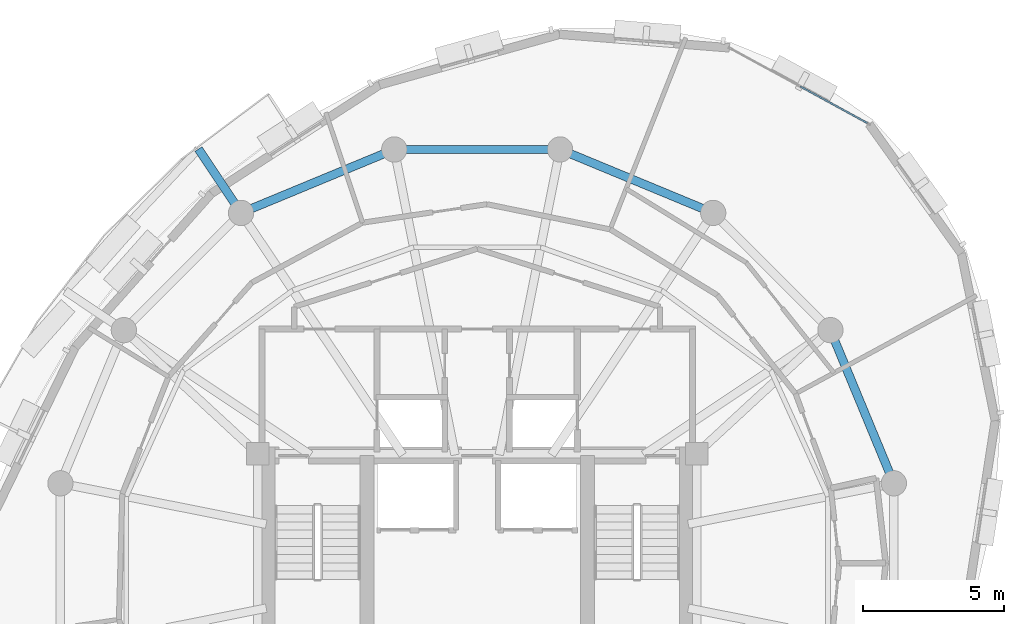
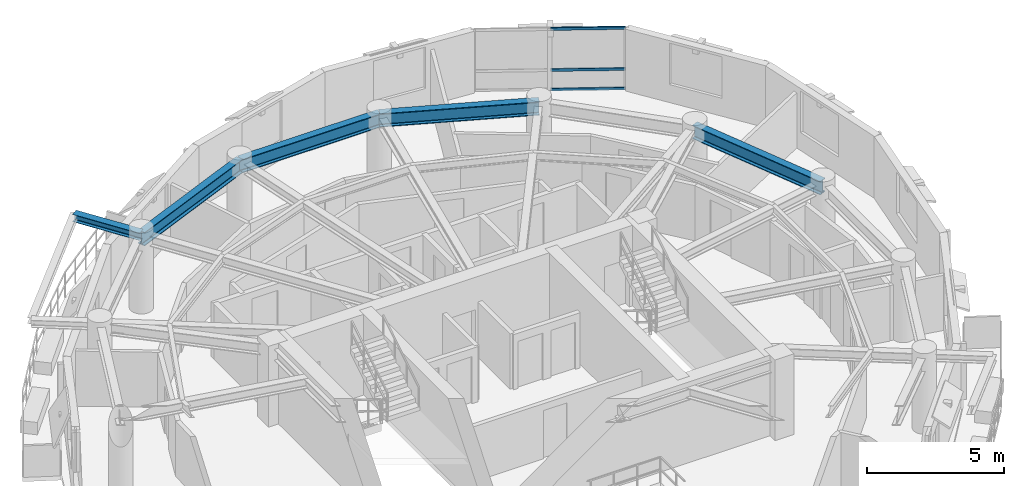
# One storey, part 4 of 11: 5 beams, 3 members, 1 element without a shape of its own.
"""IFC4 building model written with IfcOpenShell, lengths in metres."""

from ifc_helpers import new_model, si_unit, direction, frame, origin, origin_2d, place, context, subcontext, project, spatial, hollow_rectangle, i_section, extrude, material, layer, layer_set, material_profile, profile_set, type_object, element, aggregate, save


model = new_model("IFC4")

# Units and contexts
model_context = context("Model", 3, precision=1e-05, world=origin(), true_north=direction((0.0, 1.0)))
body_context = subcontext(model_context, "Body", "Model", "MODEL_VIEW")
ifc_project = project(units=[si_unit("LENGTHUNIT", "METRE"), si_unit("AREAUNIT", "SQUARE_METRE"), si_unit("VOLUMEUNIT", "CUBIC_METRE"), si_unit("PLANEANGLEUNIT", "RADIAN"), si_unit("MASSUNIT", "GRAM", prefix="KILO"), si_unit("THERMODYNAMICTEMPERATUREUNIT", "KELVIN"), si_unit("POWERUNIT", "WATT")], contexts=[model_context])

# Site, building, storey
site_placement = place(None, origin())
site = spatial("IfcSite", under=ifc_project, at=site_placement, CompositionType="ELEMENT")
building_placement = place(site_placement, origin())
building = spatial("IfcBuilding", under=site, at=building_placement, Name="Ocrelia Relay Tower", CompositionType="ELEMENT")
storey_placement = place(building_placement, frame((0.0, 0.0, 234.0)))
storey = spatial("IfcBuildingStorey", under=building, at=storey_placement, Name="L57", CompositionType="ELEMENT", Elevation=234.0)

# Beams
ifc_material_1 = material(Name="Steel S355", Category="steel")
ifc_material_profile_1 = material_profile(ifc_material_1, i_section(OverallWidth=0.300048828125, OverallDepth=0.330078125, WebThickness=0.009521484375, FlangeThickness=0.0166015625, FilletRadius=0.027099609375, at=origin_2d()), Name="HEA 340")
ifc_profile_set_1 = profile_set([ifc_material_profile_1], Name="Steel S355")
beam_type_1 = type_object("IfcBeamType", Name="BM-HEA340", PredefinedType="BEAM", material=ifc_profile_set_1)
beam_1_placement = place(storey_placement, frame((25.61083984375, 38.55517578125, 3.215087890625), z_axis=(-0.555567000699, 0.831471772061, 0.0), x_axis=(-0.831471772061, -0.555567000699, 0.0)))
element("IfcBeam", 1, at=beam_1_placement, inside=storey, type_object=beam_type_1, Name="L58 Balcony Cantilever Beam B1-1", PredefinedType="BEAM", context=body_context, shape_type="SweptSolid", body=[
    extrude(i_section(OverallWidth=0.300048828125, OverallDepth=0.330078125, WebThickness=0.009521484375, FlangeThickness=0.0166015625, FilletRadius=0.027099609375, at=origin_2d()), origin(), (0.0, 0.0, 1.0), 2.72900390625),
])
ifc_material_profile_2 = material_profile(ifc_material_1, i_section(OverallWidth=0.300048828125, OverallDepth=0.60009765625, WebThickness=0.015380859375, FlangeThickness=0.030029296875, FilletRadius=0.027099609375, at=origin_2d()), Name="HEB 600")
ifc_profile_set_2 = profile_set([ifc_material_profile_2], Name="Steel S355")
beam_type_2 = type_object("IfcBeamType", Name="BM-HEB600", PredefinedType="BEAM", material=ifc_profile_set_2)
for number, where, z_axis, x_axis, name in (
    (2, (48.809814453125, 28.94580078125, 3.080078125), (-0.382672624084, 0.923884009374, 0.0), (-0.923884009374, -0.382672624084, 0.0), "L57 Perimeter Spandrel Beam S01"),
    (3, (42.38916015625, 38.55517578125, 3.080078125), (-0.923884009374, 0.382672624084, 0.0), (-0.382672624084, -0.923884009374, 0.0), "L57 Perimeter Spandrel Beam S03"),
):
    element("IfcBeam", number, at=place(storey_placement, frame(where, z_axis=z_axis, x_axis=x_axis)), inside=storey, type_object=beam_type_2, Name=name, PredefinedType="BEAM", context=body_context, shape_type="SweptSolid", body=[
        extrude(i_section(OverallWidth=0.300048828125, OverallDepth=0.60009765625, WebThickness=0.015380859375, FlangeThickness=0.030029296875, FilletRadius=0.027099609375, at=origin_2d()), origin(), (0.0, 0.0, 1.0), 5.891845703125),
    ])
beam_2_placement = place(storey_placement, frame((36.94580078125, 40.809814453125, 3.080078125), z_axis=(-1.0, 0.0, 0.0), x_axis=(0.0, -1.0, 0.0)))
element("IfcBeam", 4, at=beam_2_placement, inside=storey, type_object=beam_type_2, Name="L57 Perimeter Spandrel Beam S04", PredefinedType="BEAM", context=body_context, shape_type="SweptSolid", body=[
    extrude(i_section(OverallWidth=0.300048828125, OverallDepth=0.60009765625, WebThickness=0.015380859375, FlangeThickness=0.030029296875, FilletRadius=0.027099609375, at=origin_2d()), origin(), (0.0, 0.0, 1.0), 5.8916015625),
])
beam_3_placement = place(storey_placement, frame((31.05419921875, 40.809814453125, 3.080078125), z_axis=(-0.923884009374, -0.382672624084, 0.0), x_axis=(0.382672624084, -0.923884009374, 0.0)))
element("IfcBeam", 5, at=beam_3_placement, inside=storey, type_object=beam_type_2, Name="L57 Perimeter Spandrel Beam S05", PredefinedType="BEAM", context=body_context, shape_type="SweptSolid", body=[
    extrude(i_section(OverallWidth=0.300048828125, OverallDepth=0.60009765625, WebThickness=0.015380859375, FlangeThickness=0.030029296875, FilletRadius=0.027099609375, at=origin_2d()), origin(), (0.0, 0.0, 1.0), 5.891845703125),
])

# Curtain wall, members
ifc_material_2 = material(Name="Aluminium and solar-control low-E glass", Category="aluminium")
ifc_layer = layer(ifc_material_2, 0.179931640625, Name="Aluminium and solar-control low-E glass")
ifc_layer_set = layer_set([ifc_layer], Name="Aluminium and solar-control low-E glass")
curtain_wall_type = type_object("IfcCurtainWallType", Name="CW-SYS-Z4-EXEC", PredefinedType="NOTDEFINED", material=ifc_layer_set)
curtain_wall_placement = place(storey_placement, origin())
curtain_wall = element("IfcCurtainWall", 6, at=curtain_wall_placement, inside=storey, type_object=curtain_wall_type, Name="L57 Elliptical Tower Curtain Wall Bay 01", PredefinedType="NOTDEFINED")
ifc_material_3 = material(Name="Anodised bronze aluminium", Category="aluminium")
ifc_material_profile_3 = material_profile(ifc_material_3, hollow_rectangle(XDim=0.06005859375, YDim=0.1201171875, WallThickness=0.0048828125, at=origin_2d()), Name="CW-TRN-120x60")
ifc_profile_set_3 = profile_set([ifc_material_profile_3], Name="Anodised bronze aluminium")
member_type = type_object("IfcMemberType", Name="CW-SYS-Z4-EXEC-TRN", PredefinedType="USERDEFINED", material=ifc_profile_set_3)
member_1_placement = place(storey_placement, frame((47.87158203125, 41.7470703125, 0.030029296875), z_axis=(-0.877984495711, 0.478689069534, 0.0), x_axis=(-0.478689069534, -0.877984495711, 0.0)))
member_1 = element("IfcMember", 7, at=member_1_placement, type_object=member_type, Name="CW-Z4 transom 1.1", ObjectType="TRANSOM", PredefinedType="USERDEFINED", context=body_context, shape_type="SweptSolid", body=[
    extrude(hollow_rectangle(XDim=0.06005859375, YDim=0.1201171875, WallThickness=0.0048828125, at=origin_2d()), origin(), (0.0, 0.0, 1.0), 2.7275390625),
])
member_2_placement = place(storey_placement, frame((47.87158203125, 41.7470703125, 0.89990234375), z_axis=(-0.877984495711, 0.478689069534, 0.0), x_axis=(-0.478689069534, -0.877984495711, 0.0)))
member_2 = element("IfcMember", 8, at=member_2_placement, type_object=member_type, Name="CW-Z4 transom 1.2", ObjectType="TRANSOM", PredefinedType="USERDEFINED", context=body_context, shape_type="SweptSolid", body=[
    extrude(hollow_rectangle(XDim=0.06005859375, YDim=0.1201171875, WallThickness=0.0048828125, at=origin_2d()), origin(), (0.0, 0.0, 1.0), 2.7275390625),
])
member_3_placement = place(storey_placement, frame((47.87158203125, 41.7470703125, 2.72998046875), z_axis=(-0.877984495711, 0.478689069534, 0.0), x_axis=(-0.478689069534, -0.877984495711, 0.0)))
member_3 = element("IfcMember", 9, at=member_3_placement, type_object=member_type, Name="CW-Z4 transom 1.3", ObjectType="TRANSOM", PredefinedType="USERDEFINED", context=body_context, shape_type="SweptSolid", body=[
    extrude(hollow_rectangle(XDim=0.06005859375, YDim=0.1201171875, WallThickness=0.0048828125, at=origin_2d()), origin(), (0.0, 0.0, 1.0), 2.7275390625),
])
aggregate(curtain_wall, [member_1, member_2, member_3])

save(model, "model.ifc")
